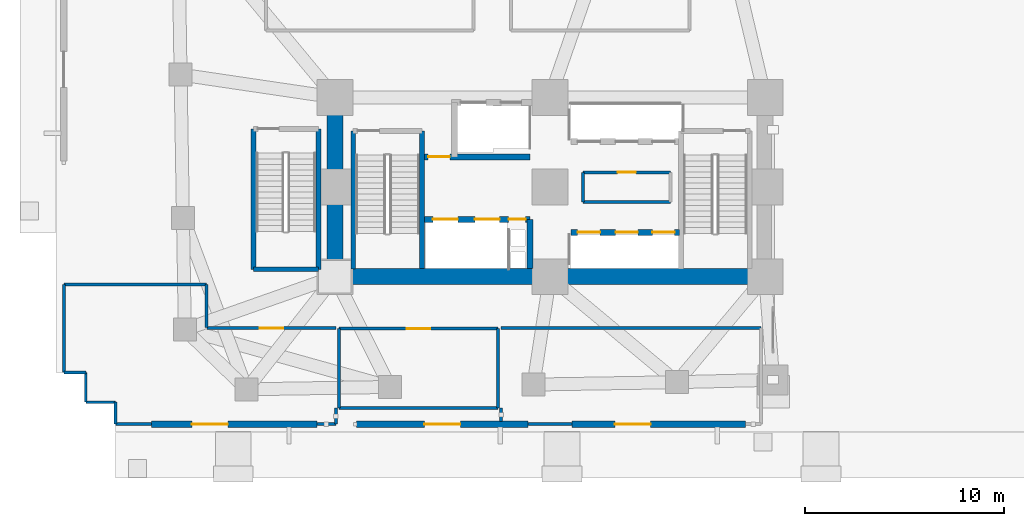
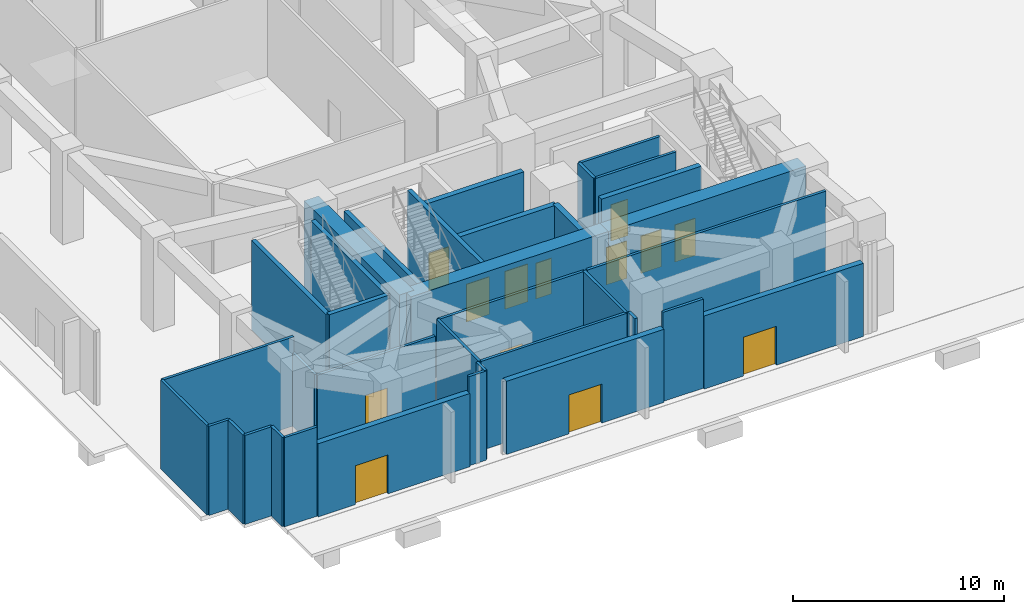
# One storey, part 10 of 19: 36 walls, 13 doors, 13 openings.
"""IFC4 building model written with IfcOpenShell, lengths in metres."""

from ifc_helpers import new_model, si_unit, direction, frame, frame_2d, origin, place, context, subcontext, project, spatial, rectangle, extrude, material, layer, layer_set, type_object, element, fill, save


model = new_model("IFC4")

# Units and contexts
model_context = context("Model", 3, precision=1e-05, world=origin(), true_north=direction((0.0, 1.0)))
body_context = subcontext(model_context, "Body", "Model", "MODEL_VIEW")
ifc_project = project(units=[si_unit("LENGTHUNIT", "METRE"), si_unit("AREAUNIT", "SQUARE_METRE"), si_unit("VOLUMEUNIT", "CUBIC_METRE"), si_unit("PLANEANGLEUNIT", "RADIAN"), si_unit("MASSUNIT", "GRAM", prefix="KILO")], contexts=[model_context])

# Site, building, storey
site_placement = place(None, origin())
site = spatial("IfcSite", under=ifc_project, at=site_placement, CompositionType="ELEMENT")
building_placement = place(site_placement, origin())
building = spatial("IfcBuilding", under=site, at=building_placement, Name="Gaonmaruhae Medical Tower", CompositionType="ELEMENT")
storey_placement = place(building_placement, origin())
storey = spatial("IfcBuildingStorey", under=building, at=storey_placement, Name="L00", CompositionType="ELEMENT", Elevation=0.0)

# Walls
ifc_material_1 = material(Name="Concrete C60/75", Category="concrete")
ifc_layer_1 = layer(ifc_material_1, 0.800048828125)
ifc_layer_set_1 = layer_set([ifc_layer_1], Name="Concrete C60/75")
wall_type_1 = type_object("IfcWallType", Name="CW-800 Lower Core Shear Wall", PredefinedType="SHEAR", material=ifc_layer_set_1)
for number, where, z_axis, x_axis, name in (
    (1, (14.0, 7.800048828125, 0.0), (0.0, 0.0, 1.0), (1.0, 0.0, 0.0), "L00 Core Shear Wall CSW-S1"),
    (2, (24.800048828125, 7.800048828125, 0.0), (0.0, 0.0, 1.0), (1.0, 0.0, 0.0), "L00 Core Shear Wall CSW-S2"),
):
    element("IfcWall", number, at=place(storey_placement, frame(where, z_axis=z_axis, x_axis=x_axis)), inside=storey, type_object=wall_type_1, Name=name, PredefinedType="SHEAR", context=body_context, shape_type="SweptSolid", body=[
        extrude(rectangle(XDim=10.800048828125, YDim=0.800048828125, at=frame_2d((5.39990234375, 0.0))), origin(), (0.0, 0.0, 1.0), 5.14990234375),
    ])
wall_1_placement = place(storey_placement, frame((14.0, 16.800048828125, 0.0), z_axis=(0.0, 0.0, 1.0), x_axis=(0.0, -1.0, 0.0)))
element("IfcWall", 3, at=wall_1_placement, inside=storey, type_object=wall_type_1, Name="L00 Core Shear Wall CSW-W1", PredefinedType="SHEAR", context=body_context, shape_type="SweptSolid", body=[
    extrude(rectangle(XDim=9.0, YDim=0.800048828125, at=frame_2d((4.5, 0.0))), origin(), (0.0, 0.0, 1.0), 5.14990234375),
])

# Wall, opening, door
ifc_material_2 = material(Name="Precast concrete C45/55", Category="concrete")
ifc_layer_2 = layer(ifc_material_2, 0.320068359375)
ifc_layer_set_2 = layer_set([ifc_layer_2], Name="Precast concrete C45/55")
wall_type_2 = type_object("IfcWallType", Name="EW-320 Lower Precast Masonry-Frame Facade Wall", PredefinedType="SOLIDWALL", material=ifc_layer_set_2)
wall_2_placement = place(storey_placement, frame((13.10009765625, 0.39990234375, 0.0), z_axis=(0.0, 0.0, 1.0), x_axis=(-1.0, 0.0, 0.0)))
wall_2 = element("IfcWall", 4, at=wall_2_placement, inside=storey, type_object=wall_type_2, Name="L00 Precast Facade Wall PB-S1", PredefinedType="SOLIDWALL", context=body_context, shape_type="SweptSolid", body=[
    extrude(rectangle(XDim=8.300048828125, YDim=0.320068359375, at=frame_2d((4.14990234375, 0.0))), origin(), (0.0, 0.0, 1.0), 4.22998046875),
])
opening_1_placement = place(wall_2_placement, frame((4.469970703125, 0.0, 0.0)))
opening_1 = element("IfcOpeningElement", 5, at=opening_1_placement, cuts=wall_2, Name="Opening EX-D1", PredefinedType="OPENING", context=body_context, shape_type="SweptSolid", body=[
    extrude(rectangle(XDim=1.800048828125, YDim=2.25, at=frame_2d((0.89990234375, 1.125))), frame((0.0, 0.169921875, 0.0), z_axis=(0.0, -1.0, 0.0), x_axis=(1.0, 0.0, 0.0)), (0.0, 0.0, 1.0), 0.340087890625),
])
ifc_material_3 = material(Name="Anodised aluminium and toughened safety glass", Category="aluminium")
door_type_1 = type_object("IfcDoorType", Name="EX-D1 Ground Final Exit Double Door 1800x2250", OperationType="NOTDEFINED", PredefinedType="DOOR", material=ifc_material_3)
door_1_placement = place(opening_1_placement, origin())
door_1 = element("IfcDoor", 6, at=door_1_placement, inside=storey, type_object=door_type_1, Name="L00 Final Pedestrian Exit Door EX-01", OperationType="DOUBLE_DOOR_SINGLE_SWING", OverallHeight=2.25, OverallWidth=1.800048828125, PredefinedType="DOOR", context=body_context, shape_type="SweptSolid", body=[
    extrude(rectangle(XDim=1.800048828125, YDim=2.25, at=frame_2d((0.89990234375, 1.125))), frame((0.0, 0.02490234375, 0.0), z_axis=(0.0, -1.0, 0.0), x_axis=(1.0, 0.0, 0.0)), (0.0, 0.0, 1.0), 0.050048828125),
])
fill(opening_1, door_1)

wall_3_placement = place(storey_placement, frame((23.699951171875, 0.39990234375, 0.0), z_axis=(0.0, 0.0, 1.0), x_axis=(-1.0, 0.0, 0.0)))
wall_3 = element("IfcWall", 7, at=wall_3_placement, inside=storey, type_object=wall_type_2, Name="L00 Precast Facade Wall PB-S2", PredefinedType="SOLIDWALL", context=body_context, shape_type="SweptSolid", body=[
    extrude(rectangle(XDim=8.599853515625, YDim=0.320068359375, at=frame_2d((4.2998046875, 0.0))), origin(), (0.0, 0.0, 1.0), 4.22998046875),
])
opening_2_placement = place(wall_3_placement, frame((3.39990234375, 0.0, 0.0)))
opening_2 = element("IfcOpeningElement", 8, at=opening_2_placement, cuts=wall_3, Name="Opening EX-D1", PredefinedType="OPENING", context=body_context, shape_type="SweptSolid", body=[
    extrude(rectangle(XDim=1.800048828125, YDim=2.25, at=frame_2d((0.89990234375, 1.125))), frame((0.0, 0.169921875, 0.0), z_axis=(0.0, -1.0, 0.0), x_axis=(1.0, 0.0, 0.0)), (0.0, 0.0, 1.0), 0.340087890625),
])
door_2_placement = place(opening_2_placement, origin())
door_2 = element("IfcDoor", 9, at=door_2_placement, inside=storey, type_object=door_type_1, Name="L00 Final Pedestrian Exit Door EX-02", OperationType="DOUBLE_DOOR_SINGLE_SWING", OverallHeight=2.25, OverallWidth=1.800048828125, PredefinedType="DOOR", context=body_context, shape_type="SweptSolid", body=[
    extrude(rectangle(XDim=1.800048828125, YDim=2.25, at=frame_2d((0.89990234375, 1.125))), frame((0.0, 0.02490234375, 0.0), z_axis=(0.0, -1.0, 0.0), x_axis=(1.0, 0.0, 0.0)), (0.0, 0.0, 1.0), 0.050048828125),
])
fill(opening_2, door_2)

wall_4_placement = place(storey_placement, frame((34.60009765625, 0.39990234375, 0.0), z_axis=(0.0, 0.0, 1.0), x_axis=(-1.0, 0.0, 0.0)))
wall_4 = element("IfcWall", 10, at=wall_4_placement, inside=storey, type_object=wall_type_2, Name="L00 Precast Facade Wall PB-S3", PredefinedType="SOLIDWALL", context=body_context, shape_type="SweptSolid", body=[
    extrude(rectangle(XDim=8.7001953125, YDim=0.320068359375, at=frame_2d((4.35009765625, 0.0))), origin(), (0.0, 0.0, 1.0), 4.22998046875),
])
opening_3_placement = place(wall_4_placement, frame((4.75, 0.0, 0.0)))
opening_3 = element("IfcOpeningElement", 11, at=opening_3_placement, cuts=wall_4, Name="Opening EX-D1", PredefinedType="OPENING", context=body_context, shape_type="SweptSolid", body=[
    extrude(rectangle(XDim=1.800048828125, YDim=2.25, at=frame_2d((0.89990234375, 1.125))), frame((0.0, 0.169921875, 0.0), z_axis=(0.0, -1.0, 0.0), x_axis=(1.0, 0.0, 0.0)), (0.0, 0.0, 1.0), 0.340087890625),
])
door_3_placement = place(opening_3_placement, origin())
door_3 = element("IfcDoor", 12, at=door_3_placement, inside=storey, type_object=door_type_1, Name="L00 Final Pedestrian Exit Door EX-03", OperationType="DOUBLE_DOOR_SINGLE_SWING", OverallHeight=2.25, OverallWidth=1.800048828125, PredefinedType="DOOR", context=body_context, shape_type="SweptSolid", body=[
    extrude(rectangle(XDim=1.800048828125, YDim=2.25, at=frame_2d((0.89990234375, 1.125))), frame((0.0, 0.02490234375, 0.0), z_axis=(0.0, -1.0, 0.0), x_axis=(1.0, 0.0, 0.0)), (0.0, 0.0, 1.0), 0.050048828125),
])
fill(opening_3, door_3)

# Wall
ifc_material_4 = material(Name="Gypsum board partition", Category="gypsum")
ifc_layer_3 = layer(ifc_material_4, 0.14990234375)
ifc_layer_set_3 = layer_set([ifc_layer_3], Name="Gypsum board partition")
wall_type_3 = type_object("IfcWallType", Name="PW-150 Rated Clinical Corridor Partition", PredefinedType="PARTITIONING", material=ifc_layer_set_3)
wall_5_placement = place(storey_placement, frame((26.449951171875, 11.56005859375, 0.0), z_axis=(0.0, 0.0, 1.0), x_axis=(0.0, 1.0, 0.0)))
element("IfcWall", 13, at=wall_5_placement, inside=storey, type_object=wall_type_3, Name="L00 Interior Partition L00-CS1-1", PredefinedType="PARTITIONING", context=body_context, shape_type="SweptSolid", body=[
    extrude(rectangle(XDim=1.47998046875, YDim=0.14990234375, at=frame_2d((0.739990234375, 0.0))), origin(), (0.0, 0.0, 1.0), 5.14990234375),
])

# Wall, opening, door
wall_6_placement = place(storey_placement, frame((26.449951171875, 13.0400390625, 0.0), z_axis=(0.0, 0.0, 1.0), x_axis=(1.0, 0.0, 0.0)))
wall_6 = element("IfcWall", 14, at=wall_6_placement, inside=storey, type_object=wall_type_3, Name="L00 Interior Partition L00-CS1-2", PredefinedType="PARTITIONING", context=body_context, shape_type="SweptSolid", body=[
    extrude(rectangle(XDim=4.400146484375, YDim=0.14990234375, at=frame_2d((2.2001953125, 0.0))), origin(), (0.0, 0.0, 1.0), 5.14990234375),
])
opening_4_placement = place(wall_6_placement, frame((1.739990234375, 0.0, 0.0)))
opening_4 = element("IfcOpeningElement", 15, at=opening_4_placement, cuts=wall_6, Name="Opening UD-01", PredefinedType="OPENING", context=body_context, shape_type="SweptSolid", body=[
    extrude(rectangle(XDim=0.919921875, YDim=2.10009765625, at=frame_2d((0.4599609375, 1.050048828125))), frame((0.0, 0.0849609375, 0.0), z_axis=(0.0, -1.0, 0.0), x_axis=(1.0, 0.0, 0.0)), (0.0, 0.0, 1.0), 0.169921875),
])
ifc_material_5 = material(Name="Powder-coated steel utility door", Category="steel")
door_type_2 = type_object("IfcDoorType", Name="UD-01 Toilet, Utility & Housekeeping Door 920x2100", OperationType="NOTDEFINED", PredefinedType="DOOR", material=ifc_material_5)
door_4_placement = place(opening_4_placement, origin())
door_4 = element("IfcDoor", 16, at=door_4_placement, inside=storey, type_object=door_type_2, Name="L00 Clean Linen Utility Store Door", OperationType="SINGLE_SWING_LEFT", OverallHeight=2.10009765625, OverallWidth=0.919921875, PredefinedType="DOOR", context=body_context, shape_type="SweptSolid", body=[
    extrude(rectangle(XDim=0.919921875, YDim=2.10009765625, at=frame_2d((0.4599609375, 1.050048828125))), frame((0.0, 0.02490234375, 0.0), z_axis=(0.0, -1.0, 0.0), x_axis=(1.0, 0.0, 0.0)), (0.0, 0.0, 1.0), 0.050048828125),
])
fill(opening_4, door_4)

# Walls
wall_7_placement = place(storey_placement, frame((30.85009765625, 11.56005859375, 0.0), z_axis=(0.0, 0.0, 1.0), x_axis=(-1.0, 0.0, 0.0)))
element("IfcWall", 17, at=wall_7_placement, inside=storey, type_object=wall_type_3, Name="L00 Interior Partition L00-CS1-4", PredefinedType="PARTITIONING", context=body_context, shape_type="SweptSolid", body=[
    extrude(rectangle(XDim=4.400146484375, YDim=0.14990234375, at=frame_2d((2.2001953125, 0.0))), origin(), (0.0, 0.0, 1.0), 5.14990234375),
])
wall_8_placement = place(storey_placement, frame((14.199951171875, 1.199951171875, 0.0), z_axis=(0.0, 0.0, 1.0), x_axis=(0.0, 1.0, 0.0)))
element("IfcWall", 18, at=wall_8_placement, inside=storey, type_object=wall_type_3, Name="L00 Interior Partition L00-FCR-5", PredefinedType="PARTITIONING", context=body_context, shape_type="SweptSolid", body=[
    extrude(rectangle(XDim=4.0, YDim=0.14990234375, at=frame_2d((2.0, 0.0))), origin(), (0.0, 0.0, 1.0), 5.14990234375),
])

# Wall, opening, door
wall_9_placement = place(storey_placement, frame((14.199951171875, 5.199951171875, 0.0), z_axis=(0.0, 0.0, 1.0), x_axis=(1.0, 0.0, 0.0)))
wall_9 = element("IfcWall", 19, at=wall_9_placement, inside=storey, type_object=wall_type_3, Name="L00 Interior Partition L00-FCR-6", PredefinedType="PARTITIONING", context=body_context, shape_type="SweptSolid", body=[
    extrude(rectangle(XDim=8.0, YDim=0.14990234375, at=frame_2d((4.0, 0.0))), origin(), (0.0, 0.0, 1.0), 5.14990234375),
])
opening_5_placement = place(wall_9_placement, frame((3.39990234375, 0.0, 0.0)))
opening_5 = element("IfcOpeningElement", 20, at=opening_5_placement, cuts=wall_9, Name="Opening CD-02", PredefinedType="OPENING", context=body_context, shape_type="SweptSolid", body=[
    extrude(rectangle(XDim=1.199951171875, YDim=2.14990234375, at=frame_2d((0.60009765625, 1.074951171875))), frame((0.0, 0.0849609375, 0.0), z_axis=(0.0, -1.0, 0.0), x_axis=(1.0, 0.0, 0.0)), (0.0, 0.0, 1.0), 0.169921875),
])
ifc_material_6 = material(Name="Antimicrobial laminate timber fire door", Category="wood")
door_type_3 = type_object("IfcDoorType", Name="CD-02 Clinical Treatment & Procedure Door 1200x2150", OperationType="NOTDEFINED", PredefinedType="DOOR", material=ifc_material_6)
door_5_placement = place(opening_5_placement, origin())
door_5 = element("IfcDoor", 21, at=door_5_placement, inside=storey, type_object=door_type_3, Name="L00 Disaster Management and Fire Command Room Door", OperationType="SINGLE_SWING_RIGHT", OverallHeight=2.14990234375, OverallWidth=1.199951171875, PredefinedType="DOOR", context=body_context, shape_type="SweptSolid", body=[
    extrude(rectangle(XDim=1.199951171875, YDim=2.14990234375, at=frame_2d((0.60009765625, 1.074951171875))), frame((0.0, 0.02490234375, 0.0), z_axis=(0.0, -1.0, 0.0), x_axis=(1.0, 0.0, 0.0)), (0.0, 0.0, 1.0), 0.050048828125),
])
fill(opening_5, door_5)

# Walls
wall_10_placement = place(storey_placement, frame((22.199951171875, 5.199951171875, 0.0), z_axis=(0.0, 0.0, 1.0), x_axis=(0.0, -1.0, 0.0)))
element("IfcWall", 22, at=wall_10_placement, inside=storey, type_object=wall_type_3, Name="L00 Interior Partition L00-FCR-7", PredefinedType="PARTITIONING", context=body_context, shape_type="SweptSolid", body=[
    extrude(rectangle(XDim=4.0, YDim=0.14990234375, at=frame_2d((2.0, 0.0))), origin(), (0.0, 0.0, 1.0), 5.14990234375),
])
wall_11_placement = place(storey_placement, frame((22.199951171875, 1.199951171875, 0.0), z_axis=(0.0, 0.0, 1.0), x_axis=(-1.0, 0.0, 0.0)))
element("IfcWall", 23, at=wall_11_placement, inside=storey, type_object=wall_type_3, Name="L00 Interior Partition L00-FCR-8", PredefinedType="PARTITIONING", context=body_context, shape_type="SweptSolid", body=[
    extrude(rectangle(XDim=8.0, YDim=0.14990234375, at=frame_2d((4.0, 0.0))), origin(), (0.0, 0.0, 1.0), 5.14990234375),
])
wall_12_placement = place(storey_placement, frame((1.5, 1.5, 0.0), z_axis=(0.0, 0.0, 1.0), x_axis=(0.0, 1.0, 0.0)))
element("IfcWall", 24, at=wall_12_placement, inside=storey, type_object=wall_type_3, Name="L00 Interior Partition L00-ER1-9", PredefinedType="PARTITIONING", context=body_context, shape_type="SweptSolid", body=[
    extrude(rectangle(XDim=1.5, YDim=0.14990234375, at=frame_2d((0.75, 0.0))), origin(), (0.0, 0.0, 1.0), 5.14990234375),
])
wall_13_placement = place(storey_placement, frame((1.5, 3.0, 0.0), z_axis=(0.0, 0.0, 1.0), x_axis=(-1.0, 0.0, 0.0)))
element("IfcWall", 25, at=wall_13_placement, inside=storey, type_object=wall_type_3, Name="L00 Interior Partition L00-ER1-10", PredefinedType="PARTITIONING", context=body_context, shape_type="SweptSolid", body=[
    extrude(rectangle(XDim=1.10009765625, YDim=0.14990234375, at=frame_2d((0.550048828125, 0.0))), origin(), (0.0, 0.0, 1.0), 5.14990234375),
])
wall_14_placement = place(storey_placement, frame((0.39990234375, 3.0, 0.0), z_axis=(0.0, 0.0, 1.0), x_axis=(0.0, 1.0, 0.0)))
element("IfcWall", 26, at=wall_14_placement, inside=storey, type_object=wall_type_3, Name="L00 Interior Partition L00-ER1-11", PredefinedType="PARTITIONING", context=body_context, shape_type="SweptSolid", body=[
    extrude(rectangle(XDim=4.39990234375, YDim=0.14990234375, at=frame_2d((2.199951171875, 0.0))), origin(), (0.0, 0.0, 1.0), 5.14990234375),
])
wall_15_placement = place(storey_placement, frame((0.39990234375, 7.39990234375, 0.0), z_axis=(0.0, 0.0, 1.0), x_axis=(1.0, 0.0, 0.0)))
element("IfcWall", 27, at=wall_15_placement, inside=storey, type_object=wall_type_3, Name="L00 Interior Partition L00-ER1-12", PredefinedType="PARTITIONING", context=body_context, shape_type="SweptSolid", body=[
    extrude(rectangle(XDim=7.170166015625, YDim=0.14990234375, at=frame_2d((3.5849609375, 0.0))), origin(), (0.0, 0.0, 1.0), 5.14990234375),
])
wall_16_placement = place(storey_placement, frame((7.570068359375, 7.39990234375, 0.0), z_axis=(0.0, 0.0, 1.0), x_axis=(0.0, -1.0, 0.0)))
element("IfcWall", 28, at=wall_16_placement, inside=storey, type_object=wall_type_3, Name="L00 Interior Partition L00-ER1-13", PredefinedType="PARTITIONING", context=body_context, shape_type="SweptSolid", body=[
    extrude(rectangle(XDim=2.14990234375, YDim=0.14990234375, at=frame_2d((1.074951171875, 0.0))), origin(), (0.0, 0.0, 1.0), 4.235107421875),
])

# Wall, opening, door
wall_17_placement = place(storey_placement, frame((7.591064453125, 5.220947265625, 0.0), z_axis=(0.0, 0.0, 1.0), x_axis=(0.99999998857, -0.000151194434, 0.0)))
wall_17 = element("IfcWall", 29, at=wall_17_placement, inside=storey, type_object=wall_type_3, Name="L00 Interior Partition L00-ER1-14", PredefinedType="PARTITIONING", context=body_context, shape_type="SweptSolid", body=[
    extrude(rectangle(XDim=6.458984375, YDim=0.14990234375, at=frame_2d((3.2294921875, 0.0))), origin(), (0.0, 0.0, 1.0), 4.235107421875),
])
opening_6_placement = place(wall_17_placement, frame((2.62939453125, 0.0, 0.0)))
opening_6 = element("IfcOpeningElement", 30, at=opening_6_placement, cuts=wall_17, Name="Opening CD-02", PredefinedType="OPENING", context=body_context, shape_type="SweptSolid", body=[
    extrude(rectangle(XDim=1.199951171875, YDim=2.14990234375, at=frame_2d((0.60009765625, 1.074951171875))), frame((0.0, 0.0849609375, 0.0), z_axis=(0.0, -1.0, 0.0), x_axis=(1.0, 0.0, 0.0)), (0.0, 0.0, 1.0), 0.169921875),
])
door_6_placement = place(opening_6_placement, origin())
door_6 = element("IfcDoor", 31, at=door_6_placement, inside=storey, type_object=door_type_3, Name="L00 Emergency Trauma Resuscitation Ward Door", OperationType="SINGLE_SWING_RIGHT", OverallHeight=2.14990234375, OverallWidth=1.199951171875, PredefinedType="DOOR", context=body_context, shape_type="SweptSolid", body=[
    extrude(rectangle(XDim=1.199951171875, YDim=2.14990234375, at=frame_2d((0.60009765625, 1.074951171875))), frame((0.0, 0.02490234375, 0.0), z_axis=(0.0, -1.0, 0.0), x_axis=(1.0, 0.0, 0.0)), (0.0, 0.0, 1.0), 0.050048828125),
])
fill(opening_6, door_6)

# Walls
wall_18_placement = place(storey_placement, frame((14.050048828125, 1.199951171875, 0.0), z_axis=(0.0, 0.0, 1.0), x_axis=(0.0, -1.0, 0.0)))
element("IfcWall", 32, at=wall_18_placement, inside=storey, type_object=wall_type_3, Name="L00 Interior Partition L00-ER1-15", PredefinedType="PARTITIONING", context=body_context, shape_type="SweptSolid", body=[
    extrude(rectangle(XDim=0.800048828125, YDim=0.14990234375, at=frame_2d((0.39990234375, 0.0))), origin(), (0.0, 0.0, 1.0), 5.14990234375),
])
wall_19_placement = place(storey_placement, frame((14.050048828125, 0.39990234375, 0.0), z_axis=(0.0, 0.0, 1.0), x_axis=(-1.0, 0.0, 0.0)))
element("IfcWall", 33, at=wall_19_placement, inside=storey, type_object=wall_type_3, Name="L00 Interior Partition L00-ER1-16", PredefinedType="PARTITIONING", context=body_context, shape_type="SweptSolid", body=[
    extrude(rectangle(XDim=0.949951171875, YDim=0.14990234375, at=frame_2d((0.47509765625, 0.0))), origin(), (0.0, 0.0, 1.0), 5.14990234375),
])
wall_20_placement = place(storey_placement, frame((4.800048828125, 0.39990234375, 0.0), z_axis=(0.0, 0.0, 1.0), x_axis=(-1.0, 0.0, 0.0)))
element("IfcWall", 34, at=wall_20_placement, inside=storey, type_object=wall_type_3, Name="L00 Interior Partition L00-ER1-17", PredefinedType="PARTITIONING", context=body_context, shape_type="SweptSolid", body=[
    extrude(rectangle(XDim=1.800048828125, YDim=0.14990234375, at=frame_2d((0.89990234375, 0.0))), origin(), (0.0, 0.0, 1.0), 5.14990234375),
])
wall_21_placement = place(storey_placement, frame((3.0, 0.39990234375, 0.0), z_axis=(0.0, 0.0, 1.0), x_axis=(0.0, 1.0, 0.0)))
element("IfcWall", 35, at=wall_21_placement, inside=storey, type_object=wall_type_3, Name="L00 Interior Partition L00-ER1-18", PredefinedType="PARTITIONING", context=body_context, shape_type="SweptSolid", body=[
    extrude(rectangle(XDim=1.10009765625, YDim=0.14990234375, at=frame_2d((0.550048828125, 0.0))), origin(), (0.0, 0.0, 1.0), 5.14990234375),
])
wall_22_placement = place(storey_placement, frame((3.0, 1.5, 0.0), z_axis=(0.0, 0.0, 1.0), x_axis=(-1.0, 0.0, 0.0)))
element("IfcWall", 36, at=wall_22_placement, inside=storey, type_object=wall_type_3, Name="L00 Interior Partition L00-ER1-19", PredefinedType="PARTITIONING", context=body_context, shape_type="SweptSolid", body=[
    extrude(rectangle(XDim=1.5, YDim=0.14990234375, at=frame_2d((0.75, 0.0))), origin(), (0.0, 0.0, 1.0), 5.14990234375),
])
wall_23_placement = place(storey_placement, frame((25.89990234375, 0.39990234375, 0.0), z_axis=(0.0, 0.0, 1.0), x_axis=(-1.0, 0.0, 0.0)))
element("IfcWall", 37, at=wall_23_placement, inside=storey, type_object=wall_type_3, Name="L00 Interior Partition L00-TRG-21", PredefinedType="PARTITIONING", context=body_context, shape_type="SweptSolid", body=[
    extrude(rectangle(XDim=2.199951171875, YDim=0.14990234375, at=frame_2d((1.10009765625, 0.0))), origin(), (0.0, 0.0, 1.0), 5.14990234375),
])
wall_24_placement = place(storey_placement, frame((22.35009765625, 0.534912109375, 0.0), z_axis=(0.0, 0.0, 1.0), x_axis=(0.0, 1.0, 0.0)))
element("IfcWall", 38, at=wall_24_placement, inside=storey, type_object=wall_type_3, Name="L00 Interior Partition L00-TRG-22", PredefinedType="PARTITIONING", context=body_context, shape_type="SweptSolid", body=[
    extrude(rectangle(XDim=0.6650390625, YDim=0.14990234375, at=frame_2d((0.33251953125, 0.0))), origin(), (0.0, 0.0, 1.0), 5.14990234375),
])
wall_25_placement = place(storey_placement, frame((22.35009765625, 5.219970703125, 0.0), z_axis=(0.0, 0.0, 1.0), x_axis=(1.0, 0.0, 0.0)))
element("IfcWall", 39, at=wall_25_placement, inside=storey, type_object=wall_type_3, Name="L00 Interior Partition L00-TRG-23", PredefinedType="PARTITIONING", context=body_context, shape_type="SweptSolid", body=[
    extrude(rectangle(XDim=13.0498046875, YDim=0.14990234375, at=frame_2d((6.52490234375, 0.0))), origin(), (0.0, 0.0, 1.0), 5.14990234375),
])
ifc_material_7 = material(Name="Concrete C50/60", Category="concrete")
ifc_layer_4 = layer(ifc_material_7, 0.239990234375)
ifc_layer_set_4 = layer_set([ifc_layer_4], Name="Concrete C50/60")
wall_type_4 = type_object("IfcWallType", Name="SW-240 Dogleg Stair Tight Shaft Wall", PredefinedType="SOLIDWALL", material=ifc_layer_set_4)
for number, where, z_axis, x_axis, name in (
    (40, (18.3798828125, 15.1201171875, 0.0), (0.0, 0.0, 1.0), (0.0, -1.0, 0.0), "L00 ST-01 Stair Shaft Wall SHW-ST-01-E"),
    (41, (14.919921875, 8.199951171875, 0.0), (0.0, 0.0, 1.0), (0.0, 1.0, 0.0), "L00 ST-01 Stair Shaft Wall SHW-ST-01-W"),
):
    element("IfcWall", number, at=place(storey_placement, frame(where, z_axis=z_axis, x_axis=x_axis)), inside=storey, type_object=wall_type_4, Name=name, PredefinedType="SOLIDWALL", context=body_context, shape_type="SweptSolid", body=[
        extrude(rectangle(XDim=6.920166015625, YDim=0.239990234375, at=frame_2d((3.4599609375, 0.0))), origin(), (0.0, 0.0, 1.0), 5.14990234375),
    ])
wall_26_placement = place(storey_placement, frame((13.179931640625, 15.219970703125, 0.0), z_axis=(0.0, 0.0, 1.0), x_axis=(0.0, -1.0, 0.0)))
element("IfcWall", 42, at=wall_26_placement, inside=storey, type_object=wall_type_4, Name="L00 ST-03 Stair Shaft Wall SHW-ST-03-E", PredefinedType="SOLIDWALL", context=body_context, shape_type="SweptSolid", body=[
    extrude(rectangle(XDim=7.050048828125, YDim=0.239990234375, at=frame_2d((3.52490234375, 0.0))), origin(), (0.0, 0.0, 1.0), 5.14990234375),
])
wall_27_placement = place(storey_placement, frame((13.179931640625, 8.169921875, 0.0), z_axis=(0.0, 0.0, 1.0), x_axis=(-1.0, 0.0, 0.0)))
element("IfcWall", 43, at=wall_27_placement, inside=storey, type_object=wall_type_4, Name="L00 ST-03 Stair Shaft Wall SHW-ST-03-S", PredefinedType="SOLIDWALL", context=body_context, shape_type="SweptSolid", body=[
    extrude(rectangle(XDim=3.260009765625, YDim=0.239990234375, at=frame_2d((1.6298828125, 0.0))), origin(), (0.0, 0.0, 1.0), 5.14990234375),
])
wall_28_placement = place(storey_placement, frame((9.919921875, 8.169921875, 0.0), z_axis=(0.0, 0.0, 1.0), x_axis=(0.0, 1.0, 0.0)))
element("IfcWall", 44, at=wall_28_placement, inside=storey, type_object=wall_type_4, Name="L00 ST-03 Stair Shaft Wall SHW-ST-03-W", PredefinedType="SOLIDWALL", context=body_context, shape_type="SweptSolid", body=[
    extrude(rectangle(XDim=7.050048828125, YDim=0.239990234375, at=frame_2d((3.52490234375, 0.0))), origin(), (0.0, 0.0, 1.0), 5.14990234375),
])

# Wall, openings, doors
ifc_layer_5 = layer(ifc_material_7, 0.300048828125)
ifc_layer_set_5 = layer_set([ifc_layer_5], Name="Concrete C50/60")
wall_type_5 = type_object("IfcWallType", Name="SW-300 Stair & Lift Hoistway Shaft Wall", PredefinedType="SOLIDWALL", material=ifc_layer_set_5)
wall_29_placement = place(storey_placement, frame((18.5, 10.679931640625, 0.0), z_axis=(0.0, 0.0, 1.0), x_axis=(1.0, 0.0, 0.0)))
wall_29 = element("IfcWall", 45, at=wall_29_placement, inside=storey, type_object=wall_type_5, Name="L00 Shaft Enclosure Wall SHW-FFN", PredefinedType="SOLIDWALL", context=body_context, shape_type="SweptSolid", body=[
    extrude(rectangle(XDim=5.300048828125, YDim=0.300048828125, at=frame_2d((2.64990234375, 0.0))), origin(), (0.0, 0.0, 1.0), 5.14990234375),
])
opening_7_placement = place(wall_29_placement, frame((4.219970703125, 0.0, 0.0)))
opening_7 = element("IfcOpeningElement", 46, at=opening_7_placement, cuts=wall_29, Name="Opening AD-01", PredefinedType="OPENING", context=body_context, shape_type="SweptSolid", body=[
    extrude(rectangle(XDim=0.860107421875, YDim=2.06005859375, at=frame_2d((0.43017578125, 1.030029296875))), frame((0.0, 0.16015625, 0.0), z_axis=(0.0, -1.0, 0.0), x_axis=(1.0, 0.0, 0.0)), (0.0, 0.0, 1.0), 0.320068359375),
])
opening_8_placement = place(wall_29_placement, frame((0.425048828125, 0.0, 0.0)))
opening_8 = element("IfcOpeningElement", 47, at=opening_8_placement, cuts=wall_29, Name="Opening LD-F1", PredefinedType="OPENING", context=body_context, shape_type="SweptSolid", body=[
    extrude(rectangle(XDim=1.25, YDim=2.179931640625, at=frame_2d((0.625, 1.08984375))), frame((0.0, 0.16015625, 0.0), z_axis=(0.0, -1.0, 0.0), x_axis=(1.0, 0.0, 0.0)), (0.0, 0.0, 1.0), 0.320068359375),
])
opening_9_placement = place(wall_29_placement, frame((2.52490234375, 0.0, 0.0)))
opening_9 = element("IfcOpeningElement", 48, at=opening_9_placement, cuts=wall_29, Name="Opening LD-F1", PredefinedType="OPENING", context=body_context, shape_type="SweptSolid", body=[
    extrude(rectangle(XDim=1.25, YDim=2.179931640625, at=frame_2d((0.625, 1.08984375))), frame((0.0, 0.16015625, 0.0), z_axis=(0.0, -1.0, 0.0), x_axis=(1.0, 0.0, 0.0)), (0.0, 0.0, 1.0), 0.320068359375),
])
ifc_material_8 = material(Name="Powder-coated steel access door", Category="steel")
door_type_4 = type_object("IfcDoorType", Name="AD-01 Riser & Closet Access Fire Door 860x2060", OperationType="NOTDEFINED", PredefinedType="DOOR", material=ifc_material_8)
door_7_placement = place(opening_7_placement, origin())
door_7 = element("IfcDoor", 49, at=door_7_placement, inside=storey, type_object=door_type_4, Name="L00 Medical Gas and MEP Riser Access Door", OperationType="SINGLE_SWING_RIGHT", OverallHeight=2.06005859375, OverallWidth=0.860107421875, PredefinedType="DOOR", context=body_context, shape_type="SweptSolid", body=[
    extrude(rectangle(XDim=0.860107421875, YDim=2.06005859375, at=frame_2d((0.43017578125, 1.030029296875))), frame((0.0, 0.02490234375, 0.0), z_axis=(0.0, -1.0, 0.0), x_axis=(1.0, 0.0, 0.0)), (0.0, 0.0, 1.0), 0.050048828125),
])
fill(opening_7, door_7)
ifc_material_9 = material(Name="Brushed stainless steel 316L landing door", Category="steel")
door_type_5 = type_object("IfcDoorType", Name="LD-F1 Firefighting & Bed Lift Sliding Landing Door 1250x2180", OperationType="NOTDEFINED", PredefinedType="DOOR", material=ifc_material_9)
door_8_placement = place(opening_8_placement, origin())
door_8 = element("IfcDoor", 50, at=door_8_placement, inside=storey, type_object=door_type_5, Name="L00 Firefighting Lift Landing Door FFL-01", OperationType="DOUBLE_DOOR_SLIDING", OverallHeight=2.179931640625, OverallWidth=1.25, PredefinedType="DOOR", context=body_context, shape_type="SweptSolid", body=[
    extrude(rectangle(XDim=1.25, YDim=2.179931640625, at=frame_2d((0.625, 1.08984375))), frame((0.0, 0.02490234375, 0.0), z_axis=(0.0, -1.0, 0.0), x_axis=(1.0, 0.0, 0.0)), (0.0, 0.0, 1.0), 0.050048828125),
])
fill(opening_8, door_8)
door_9_placement = place(opening_9_placement, origin())
door_9 = element("IfcDoor", 51, at=door_9_placement, inside=storey, type_object=door_type_5, Name="L00 Firefighting Lift Landing Door FFL-02", OperationType="DOUBLE_DOOR_SLIDING", OverallHeight=2.179931640625, OverallWidth=1.25, PredefinedType="DOOR", context=body_context, shape_type="SweptSolid", body=[
    extrude(rectangle(XDim=1.25, YDim=2.179931640625, at=frame_2d((0.625, 1.08984375))), frame((0.0, 0.02490234375, 0.0), z_axis=(0.0, -1.0, 0.0), x_axis=(1.0, 0.0, 0.0)), (0.0, 0.0, 1.0), 0.050048828125),
])
fill(opening_9, door_9)

# Wall, opening, door
wall_30_placement = place(storey_placement, frame((18.5, 13.820068359375, 0.0), z_axis=(0.0, 0.0, 1.0), x_axis=(1.0, 0.0, 0.0)))
wall_30 = element("IfcWall", 52, at=wall_30_placement, inside=storey, type_object=wall_type_5, Name="L00 Shaft Enclosure Wall SHW-FFL", PredefinedType="SOLIDWALL", context=body_context, shape_type="SweptSolid", body=[
    extrude(rectangle(XDim=5.300048828125, YDim=0.300048828125, at=frame_2d((2.64990234375, 0.0))), origin(), (0.0, 0.0, 1.0), 5.14990234375),
])
opening_10_placement = place(wall_30_placement, frame((0.179931640625, 0.0, 0.0)))
opening_10 = element("IfcOpeningElement", 53, at=opening_10_placement, cuts=wall_30, Name="Opening FD-01", PredefinedType="OPENING", context=body_context, shape_type="SweptSolid", body=[
    extrude(rectangle(XDim=1.10009765625, YDim=2.14990234375, at=frame_2d((0.550048828125, 1.074951171875))), frame((0.0, 0.16015625, 0.0), z_axis=(0.0, -1.0, 0.0), x_axis=(1.0, 0.0, 0.0)), (0.0, 0.0, 1.0), 0.320068359375),
])
ifc_material_10 = material(Name="Powder-coated steel fire door", Category="steel")
door_type_6 = type_object("IfcDoorType", Name="FD-01 Escape Stair Protected Fire Door 1100x2150", OperationType="NOTDEFINED", PredefinedType="DOOR", material=ifc_material_10)
door_10_placement = place(opening_10_placement, origin())
door_10 = element("IfcDoor", 54, at=door_10_placement, inside=storey, type_object=door_type_6, Name="L00 Firefighting Lobby Smoke Door", OperationType="SINGLE_SWING_LEFT", OverallHeight=2.14990234375, OverallWidth=1.10009765625, PredefinedType="DOOR", context=body_context, shape_type="SweptSolid", body=[
    extrude(rectangle(XDim=1.10009765625, YDim=2.14990234375, at=frame_2d((0.550048828125, 1.074951171875))), frame((0.0, 0.02490234375, 0.0), z_axis=(0.0, -1.0, 0.0), x_axis=(1.0, 0.0, 0.0)), (0.0, 0.0, 1.0), 0.050048828125),
])
fill(opening_10, door_10)

# Wall
wall_31_placement = place(storey_placement, frame((23.800048828125, 8.199951171875, 0.0), z_axis=(0.0, 0.0, 1.0), x_axis=(0.0, 1.0, 0.0)))
element("IfcWall", 55, at=wall_31_placement, inside=storey, type_object=wall_type_5, Name="L00 Shaft Enclosure Wall SHW-FFE", PredefinedType="SOLIDWALL", context=body_context, shape_type="SweptSolid", body=[
    extrude(rectangle(XDim=2.47998046875, YDim=0.300048828125, at=frame_2d((1.239990234375, 0.0))), origin(), (0.0, 0.0, 1.0), 5.14990234375),
])

# Wall, openings, doors
wall_32_placement = place(storey_placement, frame((25.85009765625, 10.02001953125, 0.0), z_axis=(0.0, 0.0, 1.0), x_axis=(1.0, 0.0, 0.0)))
wall_32 = element("IfcWall", 56, at=wall_32_placement, inside=storey, type_object=wall_type_5, Name="L00 Shaft Enclosure Wall SHW-PLS", PredefinedType="SOLIDWALL", context=body_context, shape_type="SweptSolid", body=[
    extrude(rectangle(XDim=5.449951171875, YDim=0.300048828125, at=frame_2d((2.72509765625, 0.0))), origin(), (0.0, 0.0, 1.0), 5.14990234375),
])
opening_11_placement = place(wall_32_placement, frame((0.340087890625, 0.0, 0.0)))
opening_11 = element("IfcOpeningElement", 57, at=opening_11_placement, cuts=wall_32, Name="Opening LD-P1", PredefinedType="OPENING", context=body_context, shape_type="SweptSolid", body=[
    extrude(rectangle(XDim=1.1201171875, YDim=2.14990234375, at=frame_2d((0.56005859375, 1.074951171875))), frame((0.0, 0.16015625, 0.0), z_axis=(0.0, -1.0, 0.0), x_axis=(1.0, 0.0, 0.0)), (0.0, 0.0, 1.0), 0.320068359375),
])
opening_12_placement = place(wall_32_placement, frame((2.239990234375, 0.0, 0.0)))
opening_12 = element("IfcOpeningElement", 58, at=opening_12_placement, cuts=wall_32, Name="Opening LD-P1", PredefinedType="OPENING", context=body_context, shape_type="SweptSolid", body=[
    extrude(rectangle(XDim=1.1201171875, YDim=2.14990234375, at=frame_2d((0.56005859375, 1.074951171875))), frame((0.0, 0.16015625, 0.0), z_axis=(0.0, -1.0, 0.0), x_axis=(1.0, 0.0, 0.0)), (0.0, 0.0, 1.0), 0.320068359375),
])
opening_13_placement = place(wall_32_placement, frame((4.090087890625, 0.0, 0.0)))
opening_13 = element("IfcOpeningElement", 59, at=opening_13_placement, cuts=wall_32, Name="Opening LD-P1", PredefinedType="OPENING", context=body_context, shape_type="SweptSolid", body=[
    extrude(rectangle(XDim=1.1201171875, YDim=2.14990234375, at=frame_2d((0.56005859375, 1.074951171875))), frame((0.0, 0.16015625, 0.0), z_axis=(0.0, -1.0, 0.0), x_axis=(1.0, 0.0, 0.0)), (0.0, 0.0, 1.0), 0.320068359375),
])
ifc_material_11 = material(Name="Brushed stainless steel 304 landing door", Category="steel")
door_type_7 = type_object("IfcDoorType", Name="LD-P1 Passenger Lift Sliding Landing Door 1120x2150", OperationType="NOTDEFINED", PredefinedType="DOOR", material=ifc_material_11)
door_11_placement = place(opening_11_placement, origin())
door_11 = element("IfcDoor", 60, at=door_11_placement, inside=storey, type_object=door_type_7, Name="L00 Passenger Lift Landing Door PL-L1", OperationType="DOUBLE_DOOR_SLIDING", OverallHeight=2.14990234375, OverallWidth=1.1201171875, PredefinedType="DOOR", context=body_context, shape_type="SweptSolid", body=[
    extrude(rectangle(XDim=1.1201171875, YDim=2.14990234375, at=frame_2d((0.56005859375, 1.074951171875))), frame((0.0, 0.02490234375, 0.0), z_axis=(0.0, -1.0, 0.0), x_axis=(1.0, 0.0, 0.0)), (0.0, 0.0, 1.0), 0.050048828125),
])
fill(opening_11, door_11)
door_12_placement = place(opening_12_placement, origin())
door_12 = element("IfcDoor", 61, at=door_12_placement, inside=storey, type_object=door_type_7, Name="L00 Passenger Lift Landing Door PL-L2", OperationType="DOUBLE_DOOR_SLIDING", OverallHeight=2.14990234375, OverallWidth=1.1201171875, PredefinedType="DOOR", context=body_context, shape_type="SweptSolid", body=[
    extrude(rectangle(XDim=1.1201171875, YDim=2.14990234375, at=frame_2d((0.56005859375, 1.074951171875))), frame((0.0, 0.02490234375, 0.0), z_axis=(0.0, -1.0, 0.0), x_axis=(1.0, 0.0, 0.0)), (0.0, 0.0, 1.0), 0.050048828125),
])
fill(opening_12, door_12)
door_13_placement = place(opening_13_placement, origin())
door_13 = element("IfcDoor", 62, at=door_13_placement, inside=storey, type_object=door_type_7, Name="L00 Passenger Lift Landing Door PL-H1", OperationType="DOUBLE_DOOR_SLIDING", OverallHeight=2.14990234375, OverallWidth=1.1201171875, PredefinedType="DOOR", context=body_context, shape_type="SweptSolid", body=[
    extrude(rectangle(XDim=1.1201171875, YDim=2.14990234375, at=frame_2d((0.56005859375, 1.074951171875))), frame((0.0, 0.02490234375, 0.0), z_axis=(0.0, -1.0, 0.0), x_axis=(1.0, 0.0, 0.0)), (0.0, 0.0, 1.0), 0.050048828125),
])
fill(opening_13, door_13)

save(model, "model.ifc")
